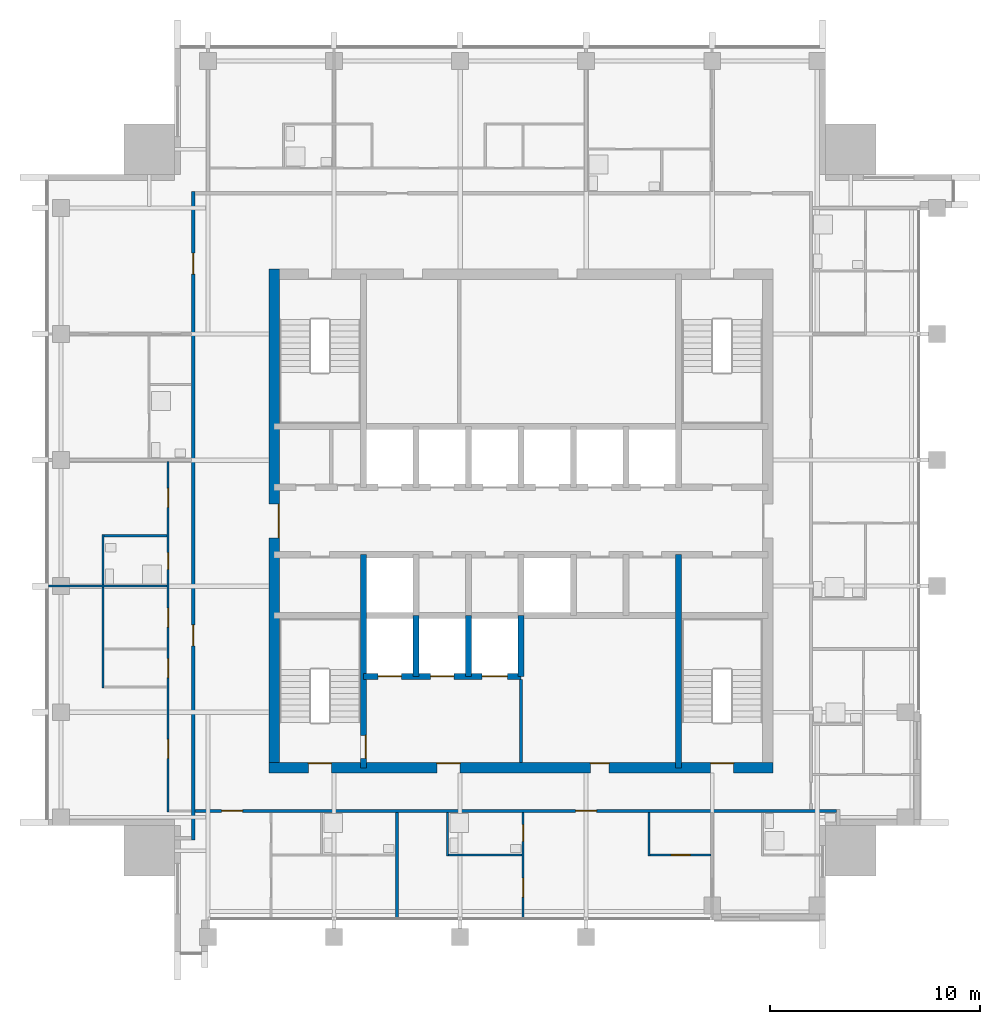
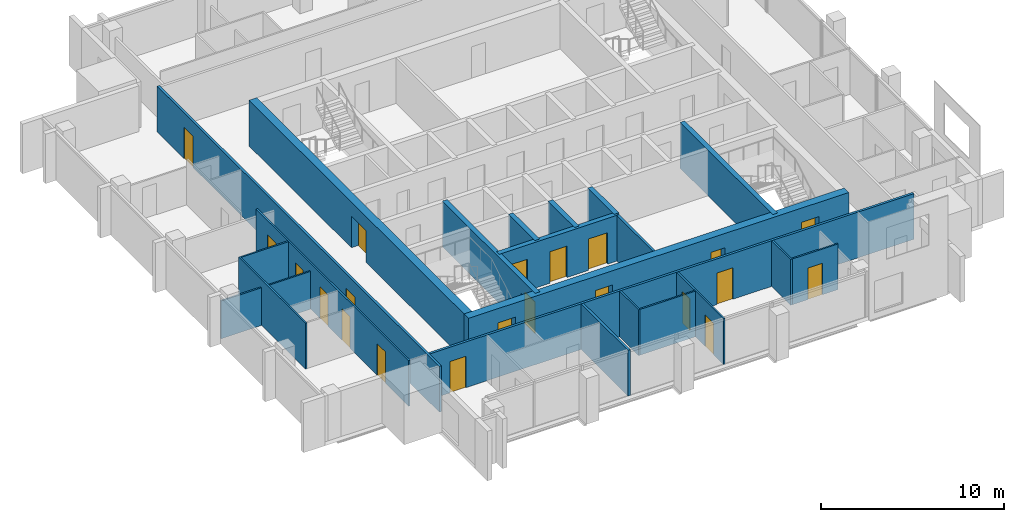
# One storey, part 7 of 13: 21 doors, 21 walls, 21 openings.
"""IFC4 building model written with IfcOpenShell, lengths in metres."""

from ifc_helpers import new_model, si_unit, direction, frame, frame_2d, origin, place, context, subcontext, project, spatial, rectangle, extrude, material, layer, layer_set, type_object, element, fill, save


model = new_model("IFC4")

# Units and contexts
model_context = context("Model", 3, precision=1e-05, world=origin(), true_north=direction((0.0, 1.0)))
body_context = subcontext(model_context, "Body", "Model", "MODEL_VIEW")
ifc_project = project(units=[si_unit("LENGTHUNIT", "METRE"), si_unit("AREAUNIT", "SQUARE_METRE"), si_unit("VOLUMEUNIT", "CUBIC_METRE"), si_unit("PLANEANGLEUNIT", "RADIAN"), si_unit("MASSUNIT", "GRAM", prefix="KILO")], contexts=[model_context])

# Site, building, storey
site_placement = place(None, origin())
site = spatial("IfcSite", under=ifc_project, at=site_placement, CompositionType="ELEMENT")
building_placement = place(site_placement, origin())
building = spatial("IfcBuilding", under=site, at=building_placement, Name="Amberfall Residences", CompositionType="ELEMENT")
storey_placement = place(building_placement, frame((0.0, 0.0, 271.89990234375)))
storey = spatial("IfcBuildingStorey", under=building, at=storey_placement, Name="L73", CompositionType="ELEMENT", Elevation=271.89990234375)

# Wall, opening, door
ifc_material_1 = material(Name="Concrete C50", Category="concrete")
ifc_layer_1 = layer(ifc_material_1, 0.300048828125)
ifc_layer_set_1 = layer_set([ifc_layer_1], Name="Core wall 300 C50")
wall_type_1 = type_object("IfcWallType", Name="Core wall 300 C50", PredefinedType="SHEAR", material=ifc_layer_set_1)
wall_1_placement = place(storey_placement, frame((67.0, 33.75, 0.0), z_axis=(0.0, 0.0, 1.0), x_axis=(0.0, 1.0, 0.0)))
wall_1 = element("IfcWall", 1, at=wall_1_placement, inside=storey, type_object=wall_type_1, Name="Core wall RW10 L73 V45S", PredefinedType="SHEAR", context=body_context, shape_type="SweptSolid", body=[
    extrude(rectangle(XDim=10.14990234375, YDim=0.300048828125, at=frame_2d((5.074951171875, 0.0))), origin(), (0.0, 0.0, 1.0), 3.050048828125),
])
opening_1_placement = place(wall_1_placement, frame((0.449951171875, 0.0, 0.0)))
opening_1 = element("IfcOpeningElement", 2, at=opening_1_placement, cuts=wall_1, Name="Opening FL1", PredefinedType="OPENING", context=body_context, shape_type="SweptSolid", body=[
    extrude(rectangle(XDim=1.10009765625, YDim=2.10009765625, at=frame_2d((0.550048828125, 1.050048828125))), frame((0.0, 0.159912109375, 0.0), z_axis=(0.0, -1.0, 0.0), x_axis=(1.0, 0.0, 0.0)), (0.0, 0.0, 1.0), 0.320068359375),
])
ifc_material_2 = material(Name="Steel fire door set", Category="steel")
door_type_1 = type_object("IfcDoorType", Name="Firefighting lobby door 1100 x 2100", OperationType="SINGLE_SWING_LEFT", PredefinedType="DOOR", material=ifc_material_2)
door_1_placement = place(opening_1_placement, origin())
door_1 = element("IfcDoor", 3, at=door_1_placement, inside=storey, type_object=door_type_1, Name="FL1 L73", OperationType="SINGLE_SWING_RIGHT", OverallHeight=2.10009765625, OverallWidth=1.10009765625, PredefinedType="DOOR", context=body_context, shape_type="SweptSolid", body=[
    extrude(rectangle(XDim=1.10009765625, YDim=2.10009765625, at=frame_2d((0.550048828125, 1.050048828125))), frame((0.0, -0.08740234375, 0.0), z_axis=(0.0, -1.0, 0.0), x_axis=(1.0, 0.0, 0.0)), (0.0, 0.0, 1.0), 0.050048828125),
])
fill(opening_1, door_1)

# Wall
wall_2_placement = place(storey_placement, frame((82.0, 33.75, 0.0), z_axis=(0.0, 0.0, 1.0), x_axis=(0.0, 1.0, 0.0)))
element("IfcWall", 4, at=wall_2_placement, inside=storey, type_object=wall_type_1, Name="Core wall RW10 L73 V195S", PredefinedType="SHEAR", context=body_context, shape_type="SweptSolid", body=[
    extrude(rectangle(XDim=10.14990234375, YDim=0.300048828125, at=frame_2d((5.074951171875, 0.0))), origin(), (0.0, 0.0, 1.0), 3.050048828125),
])

# Wall, openings, doors
wall_3_placement = place(storey_placement, frame((67.0, 38.10009765625, 0.0), z_axis=(0.0, 0.0, 1.0), x_axis=(1.0, 0.0, 0.0)))
wall_3 = element("IfcWall", 5, at=wall_3_placement, inside=storey, type_object=wall_type_1, Name="Core wall RW10 L73 FFF", PredefinedType="SHEAR", context=body_context, shape_type="SweptSolid", body=[
    extrude(rectangle(XDim=7.5, YDim=0.300048828125, at=frame_2d((3.75, 0.0))), origin(), (0.0, 0.0, 1.0), 3.050048828125),
])
opening_2_placement = place(wall_3_placement, frame((0.699951171875, 0.0, 0.0)))
opening_2 = element("IfcOpeningElement", 6, at=opening_2_placement, cuts=wall_3, Name="Opening LD2", PredefinedType="OPENING", context=body_context, shape_type="SweptSolid", body=[
    extrude(rectangle(XDim=1.10009765625, YDim=2.10009765625, at=frame_2d((0.550048828125, 1.050048828125))), frame((0.0, 0.159912109375, 0.0), z_axis=(0.0, -1.0, 0.0), x_axis=(1.0, 0.0, 0.0)), (0.0, 0.0, 1.0), 0.320068359375),
])
opening_3_placement = place(wall_3_placement, frame((3.199951171875, 0.0, 0.0)))
opening_3 = element("IfcOpeningElement", 7, at=opening_3_placement, cuts=wall_3, Name="Opening LD2", PredefinedType="OPENING", context=body_context, shape_type="SweptSolid", body=[
    extrude(rectangle(XDim=1.10009765625, YDim=2.10009765625, at=frame_2d((0.550048828125, 1.050048828125))), frame((0.0, 0.159912109375, 0.0), z_axis=(0.0, -1.0, 0.0), x_axis=(1.0, 0.0, 0.0)), (0.0, 0.0, 1.0), 0.320068359375),
])
opening_4_placement = place(wall_3_placement, frame((5.64990234375, 0.0, 0.0)))
opening_4 = element("IfcOpeningElement", 8, at=opening_4_placement, cuts=wall_3, Name="Opening LD3", PredefinedType="OPENING", context=body_context, shape_type="SweptSolid", body=[
    extrude(rectangle(XDim=1.199951171875, YDim=2.10009765625, at=frame_2d((0.60009765625, 1.050048828125))), frame((0.0, 0.159912109375, 0.0), z_axis=(0.0, -1.0, 0.0), x_axis=(1.0, 0.0, 0.0)), (0.0, 0.0, 1.0), 0.320068359375),
])
door_type_2 = type_object("IfcDoorType", Name="Firefighting lift landing door 1100 x 2100", OperationType="DOUBLE_DOOR_SLIDING", PredefinedType="DOOR", material=ifc_material_2)
door_2_placement = place(opening_2_placement, origin())
door_2 = element("IfcDoor", 9, at=door_2_placement, inside=storey, type_object=door_type_2, Name="Landing door FF1 L73", OperationType="DOUBLE_DOOR_SLIDING", OverallHeight=2.10009765625, OverallWidth=1.10009765625, PredefinedType="DOOR", context=body_context, shape_type="SweptSolid", body=[
    extrude(rectangle(XDim=1.10009765625, YDim=2.10009765625, at=frame_2d((0.550048828125, 1.050048828125))), frame((0.0, 0.02490234375, 0.0), z_axis=(0.0, -1.0, 0.0), x_axis=(1.0, 0.0, 0.0)), (0.0, 0.0, 1.0), 0.050048828125),
])
fill(opening_2, door_2)
door_3_placement = place(opening_3_placement, origin())
door_3 = element("IfcDoor", 10, at=door_3_placement, inside=storey, type_object=door_type_2, Name="Landing door FF2 L73", OperationType="DOUBLE_DOOR_SLIDING", OverallHeight=2.10009765625, OverallWidth=1.10009765625, PredefinedType="DOOR", context=body_context, shape_type="SweptSolid", body=[
    extrude(rectangle(XDim=1.10009765625, YDim=2.10009765625, at=frame_2d((0.550048828125, 1.050048828125))), frame((0.0, 0.02490234375, 0.0), z_axis=(0.0, -1.0, 0.0), x_axis=(1.0, 0.0, 0.0)), (0.0, 0.0, 1.0), 0.050048828125),
])
fill(opening_3, door_3)
door_type_3 = type_object("IfcDoorType", Name="Service lift landing door 1200 x 2100", OperationType="DOUBLE_DOOR_SLIDING", PredefinedType="DOOR", material=ifc_material_2)
door_4_placement = place(opening_4_placement, origin())
door_4 = element("IfcDoor", 11, at=door_4_placement, inside=storey, type_object=door_type_3, Name="Landing door SL1 L73", OperationType="DOUBLE_DOOR_SLIDING", OverallHeight=2.10009765625, OverallWidth=1.199951171875, PredefinedType="DOOR", context=body_context, shape_type="SweptSolid", body=[
    extrude(rectangle(XDim=1.199951171875, YDim=2.10009765625, at=frame_2d((0.60009765625, 1.050048828125))), frame((0.0, 0.02490234375, 0.0), z_axis=(0.0, -1.0, 0.0), x_axis=(1.0, 0.0, 0.0)), (0.0, 0.0, 1.0), 0.050048828125),
])
fill(opening_4, door_4)

# Walls
for number, where, z_axis, x_axis, name in (
    (12, (69.5, 38.10009765625, 0.0), (0.0, 0.0, 1.0), (0.0, 1.0, 0.0), "Core wall RW10 L73 FFD1"),
    (13, (72.0, 38.10009765625, 0.0), (0.0, 0.0, 1.0), (0.0, 1.0, 0.0), "Core wall RW10 L73 FFD2"),
    (14, (74.5, 38.10009765625, 0.0), (0.0, 0.0, 1.0), (0.0, 1.0, 0.0), "Core wall RW10 L73 FFD3"),
):
    element("IfcWall", number, at=place(storey_placement, frame(where, z_axis=z_axis, x_axis=x_axis)), inside=storey, type_object=wall_type_1, Name=name, PredefinedType="SHEAR", context=body_context, shape_type="SweptSolid", body=[
        extrude(rectangle(XDim=2.89990234375, YDim=0.300048828125, at=frame_2d((1.449951171875, 0.0))), origin(), (0.0, 0.0, 1.0), 3.050048828125),
    ])

# Wall, openings, doors
ifc_layer_2 = layer(ifc_material_1, 0.5)
ifc_layer_set_2 = layer_set([ifc_layer_2], Name="Core wall 500 C50")
wall_type_2 = type_object("IfcWallType", Name="Core wall 500 C50", PredefinedType="SHEAR", material=ifc_layer_set_2)
wall_4_placement = place(storey_placement, frame((62.5, 33.75, 0.0), z_axis=(0.0, 0.0, 1.0), x_axis=(1.0, 0.0, 0.0)))
wall_4 = element("IfcWall", 15, at=wall_4_placement, inside=storey, type_object=wall_type_2, Name="Core wall RW9 L73 OS", PredefinedType="SHEAR", context=body_context, shape_type="SweptSolid", body=[
    extrude(rectangle(XDim=24.0, YDim=0.5, at=frame_2d((12.0, 0.0))), origin(), (0.0, 0.0, 1.0), 3.050048828125),
])
opening_5_placement = place(wall_4_placement, frame((1.875, 0.0, 0.0)))
opening_5 = element("IfcOpeningElement", 16, at=opening_5_placement, cuts=wall_4, Name="Opening SD1", PredefinedType="OPENING", context=body_context, shape_type="SweptSolid", body=[
    extrude(rectangle(XDim=1.10009765625, YDim=2.10009765625, at=frame_2d((0.550048828125, 1.050048828125))), frame((0.0, 0.260009765625, 0.0), z_axis=(0.0, -1.0, 0.0), x_axis=(1.0, 0.0, 0.0)), (0.0, 0.0, 1.0), 0.52001953125),
])
opening_6_placement = place(wall_4_placement, frame((21.02490234375, 0.0, 0.0)))
opening_6 = element("IfcOpeningElement", 17, at=opening_6_placement, cuts=wall_4, Name="Opening SD1", PredefinedType="OPENING", context=body_context, shape_type="SweptSolid", body=[
    extrude(rectangle(XDim=1.10009765625, YDim=2.10009765625, at=frame_2d((0.550048828125, 1.050048828125))), frame((0.0, 0.260009765625, 0.0), z_axis=(0.0, -1.0, 0.0), x_axis=(1.0, 0.0, 0.0)), (0.0, 0.0, 1.0), 0.52001953125),
])
opening_7_placement = place(wall_4_placement, frame((8.0, 0.0, 0.0)))
opening_7 = element("IfcOpeningElement", 18, at=opening_7_placement, cuts=wall_4, Name="Opening FL1", PredefinedType="OPENING", context=body_context, shape_type="SweptSolid", body=[
    extrude(rectangle(XDim=1.10009765625, YDim=2.10009765625, at=frame_2d((0.550048828125, 1.050048828125))), frame((0.0, 0.260009765625, 0.0), z_axis=(0.0, -1.0, 0.0), x_axis=(1.0, 0.0, 0.0)), (0.0, 0.0, 1.0), 0.52001953125),
])
opening_8_placement = place(wall_4_placement, frame((15.300048828125, 0.0, 0.0)))
opening_8 = element("IfcOpeningElement", 19, at=opening_8_placement, cuts=wall_4, Name="Opening RD1", PredefinedType="OPENING", context=body_context, shape_type="SweptSolid", body=[
    extrude(rectangle(XDim=0.89990234375, YDim=2.10009765625, at=frame_2d((0.449951171875, 1.050048828125))), frame((0.0, 0.260009765625, 0.0), z_axis=(0.0, -1.0, 0.0), x_axis=(1.0, 0.0, 0.0)), (0.0, 0.0, 1.0), 0.52001953125),
])
door_5_placement = place(opening_7_placement, origin())
door_5 = element("IfcDoor", 20, at=door_5_placement, inside=storey, type_object=door_type_1, Name="FL1 L73", OperationType="SINGLE_SWING_LEFT", OverallHeight=2.10009765625, OverallWidth=1.10009765625, PredefinedType="DOOR", context=body_context, shape_type="SweptSolid", body=[
    extrude(rectangle(XDim=1.10009765625, YDim=2.10009765625, at=frame_2d((0.550048828125, 1.050048828125))), frame((0.0, 0.2373046875, 0.0), z_axis=(0.0, -1.0, 0.0), x_axis=(1.0, 0.0, 0.0)), (0.0, 0.0, 1.0), 0.050048828125),
])
fill(opening_7, door_5)
door_type_4 = type_object("IfcDoorType", Name="Service room door 900 x 2100", OperationType="SINGLE_SWING_LEFT", PredefinedType="DOOR", material=ifc_material_2)
door_6_placement = place(opening_8_placement, origin())
door_6 = element("IfcDoor", 21, at=door_6_placement, inside=storey, type_object=door_type_4, Name="RD1 L73", OperationType="SINGLE_SWING_LEFT", OverallHeight=2.10009765625, OverallWidth=0.89990234375, PredefinedType="DOOR", context=body_context, shape_type="SweptSolid", body=[
    extrude(rectangle(XDim=0.89990234375, YDim=2.10009765625, at=frame_2d((0.449951171875, 1.050048828125))), frame((0.0, 0.2373046875, 0.0), z_axis=(0.0, -1.0, 0.0), x_axis=(1.0, 0.0, 0.0)), (0.0, 0.0, 1.0), 0.050048828125),
])
fill(opening_8, door_6)
door_type_5 = type_object("IfcDoorType", Name="Stair door 1100 x 2100", OperationType="SINGLE_SWING_LEFT", PredefinedType="DOOR", material=ifc_material_2)
door_7_placement = place(opening_5_placement, origin())
door_7 = element("IfcDoor", 22, at=door_7_placement, inside=storey, type_object=door_type_5, Name="SD1 L73", OperationType="SINGLE_SWING_LEFT", OverallHeight=2.10009765625, OverallWidth=1.10009765625, PredefinedType="DOOR", context=body_context, shape_type="SweptSolid", body=[
    extrude(rectangle(XDim=1.10009765625, YDim=2.10009765625, at=frame_2d((0.550048828125, 1.050048828125))), frame((0.0, 0.2373046875, 0.0), z_axis=(0.0, -1.0, 0.0), x_axis=(1.0, 0.0, 0.0)), (0.0, 0.0, 1.0), 0.050048828125),
])
fill(opening_5, door_7)
door_8_placement = place(opening_6_placement, origin())
door_8 = element("IfcDoor", 23, at=door_8_placement, inside=storey, type_object=door_type_5, Name="SD1 L73", OperationType="SINGLE_SWING_RIGHT", OverallHeight=2.10009765625, OverallWidth=1.10009765625, PredefinedType="DOOR", context=body_context, shape_type="SweptSolid", body=[
    extrude(rectangle(XDim=1.10009765625, YDim=2.10009765625, at=frame_2d((0.550048828125, 1.050048828125))), frame((0.0, 0.2373046875, 0.0), z_axis=(0.0, -1.0, 0.0), x_axis=(1.0, 0.0, 0.0)), (0.0, 0.0, 1.0), 0.050048828125),
])
fill(opening_6, door_8)

# Wall, opening, door
wall_5_placement = place(storey_placement, frame((62.75, 33.5, 0.0), z_axis=(0.0, 0.0, 1.0), x_axis=(0.0, 1.0, 0.0)))
wall_5 = element("IfcWall", 24, at=wall_5_placement, inside=storey, type_object=wall_type_2, Name="Core wall RW9 L73 OW", PredefinedType="SHEAR", context=body_context, shape_type="SweptSolid", body=[
    extrude(rectangle(XDim=24.0, YDim=0.5, at=frame_2d((12.0, 0.0))), origin(), (0.0, 0.0, 1.0), 3.050048828125),
])
opening_9_placement = place(wall_5_placement, frame((11.199951171875, 0.0, 0.0)))
opening_9 = element("IfcOpeningElement", 25, at=opening_9_placement, cuts=wall_5, Name="Opening LB1", PredefinedType="OPENING", context=body_context, shape_type="SweptSolid", body=[
    extrude(rectangle(XDim=1.60009765625, YDim=2.10009765625, at=frame_2d((0.800048828125, 1.050048828125))), frame((0.0, 0.260009765625, 0.0), z_axis=(0.0, -1.0, 0.0), x_axis=(1.0, 0.0, 0.0)), (0.0, 0.0, 1.0), 0.52001953125),
])
door_type_6 = type_object("IfcDoorType", Name="Lift lobby double door 1600 x 2100", OperationType="DOUBLE_DOOR_SINGLE_SWING", PredefinedType="DOOR", material=ifc_material_2)
door_9_placement = place(opening_9_placement, origin())
door_9 = element("IfcDoor", 26, at=door_9_placement, inside=storey, type_object=door_type_6, Name="LB1 L73", OperationType="DOUBLE_DOOR_SINGLE_SWING", OverallHeight=2.10009765625, OverallWidth=1.60009765625, PredefinedType="DOOR", context=body_context, shape_type="SweptSolid", body=[
    extrude(rectangle(XDim=1.60009765625, YDim=2.10009765625, at=frame_2d((0.800048828125, 1.050048828125))), frame((0.0, -0.1875, 0.0), z_axis=(0.0, -1.0, 0.0), x_axis=(1.0, 0.0, 0.0)), (0.0, 0.0, 1.0), 0.050048828125),
])
fill(opening_9, door_9)

# Wall
ifc_material_3 = material(Name="Gypsum board on metal stud")
ifc_layer_3 = layer(ifc_material_3, 0.10009765625)
ifc_layer_set_3 = layer_set([ifc_layer_3], Name="Flat partition 100")
wall_type_3 = type_object("IfcWallType", Name="Flat partition 100", PredefinedType="PARTITIONING", material=ifc_layer_set_3)
wall_6_placement = place(storey_placement, frame((54.60009765625, 37.550048828125, 0.0), z_axis=(0.0, 0.0, 1.0), x_axis=(0.0, 1.0, 0.0)))
element("IfcWall", 27, at=wall_6_placement, inside=storey, type_object=wall_type_3, Name="Partition 001", PredefinedType="PARTITIONING", context=body_context, shape_type="SweptSolid", body=[
    extrude(rectangle(XDim=7.300048828125, YDim=0.10009765625, at=frame_2d((3.64990234375, 0.0))), origin(), (0.0, 0.0, 1.0), 3.050048828125),
])

# Wall, openings, doors
wall_7_placement = place(storey_placement, frame((57.699951171875, 31.64990234375, 0.0), z_axis=(0.0, 0.0, 1.0), x_axis=(0.0, 1.0, 0.0)))
wall_7 = element("IfcWall", 28, at=wall_7_placement, inside=storey, type_object=wall_type_3, Name="Partition 003", PredefinedType="PARTITIONING", context=body_context, shape_type="SweptSolid", body=[
    extrude(rectangle(XDim=16.675048828125, YDim=0.10009765625, at=frame_2d((8.33740234375, 0.0))), origin(), (0.0, 0.0, 1.0), 3.050048828125),
])
opening_10_placement = place(wall_7_placement, frame((2.550048828125, 0.0, 0.0)))
opening_10 = element("IfcOpeningElement", 29, at=opening_10_placement, cuts=wall_7, Name="Opening D41", PredefinedType="OPENING", context=body_context, shape_type="SweptSolid", body=[
    extrude(rectangle(XDim=0.89990234375, YDim=2.10009765625, at=frame_2d((0.449951171875, 1.050048828125))), frame((0.0, 0.06005859375, 0.0), z_axis=(0.0, -1.0, 0.0), x_axis=(1.0, 0.0, 0.0)), (0.0, 0.0, 1.0), 0.1201171875),
])
opening_11_placement = place(wall_7_placement, frame((8.800048828125, 0.0, 0.0)))
opening_11 = element("IfcOpeningElement", 30, at=opening_11_placement, cuts=wall_7, Name="Opening D41", PredefinedType="OPENING", context=body_context, shape_type="SweptSolid", body=[
    extrude(rectangle(XDim=0.89990234375, YDim=2.10009765625, at=frame_2d((0.449951171875, 1.050048828125))), frame((0.0, 0.06005859375, 0.0), z_axis=(0.0, -1.0, 0.0), x_axis=(1.0, 0.0, 0.0)), (0.0, 0.0, 1.0), 0.1201171875),
])
opening_12_placement = place(wall_7_placement, frame((6.39990234375, 0.0, 0.0)))
opening_12 = element("IfcOpeningElement", 31, at=opening_12_placement, cuts=wall_7, Name="Opening D41", PredefinedType="OPENING", context=body_context, shape_type="SweptSolid", body=[
    extrude(rectangle(XDim=0.89990234375, YDim=2.10009765625, at=frame_2d((0.449951171875, 1.050048828125))), frame((0.0, 0.06005859375, 0.0), z_axis=(0.0, -1.0, 0.0), x_axis=(1.0, 0.0, 0.0)), (0.0, 0.0, 1.0), 0.1201171875),
])
opening_13_placement = place(wall_7_placement, frame((14.5, 0.0, 0.0)))
opening_13 = element("IfcOpeningElement", 32, at=opening_13_placement, cuts=wall_7, Name="Opening D41", PredefinedType="OPENING", context=body_context, shape_type="SweptSolid", body=[
    extrude(rectangle(XDim=0.89990234375, YDim=2.10009765625, at=frame_2d((0.449951171875, 1.050048828125))), frame((0.0, 0.06005859375, 0.0), z_axis=(0.0, -1.0, 0.0), x_axis=(1.0, 0.0, 0.0)), (0.0, 0.0, 1.0), 0.1201171875),
])
opening_14_placement = place(wall_7_placement, frame((11.550048828125, 0.0, 0.0)))
opening_14 = element("IfcOpeningElement", 33, at=opening_14_placement, cuts=wall_7, Name="Opening D42", PredefinedType="OPENING", context=body_context, shape_type="SweptSolid", body=[
    extrude(rectangle(XDim=0.800048828125, YDim=2.10009765625, at=frame_2d((0.39990234375, 1.050048828125))), frame((0.0, 0.06005859375, 0.0), z_axis=(0.0, -1.0, 0.0), x_axis=(1.0, 0.0, 0.0)), (0.0, 0.0, 1.0), 0.1201171875),
])
ifc_material_4 = material(Name="Timber", Category="wood")
door_type_7 = type_object("IfcDoorType", Name="Bathroom door 800 x 2100", OperationType="SINGLE_SWING_LEFT", PredefinedType="DOOR", material=ifc_material_4)
door_10_placement = place(opening_14_placement, origin())
door_10 = element("IfcDoor", 34, at=door_10_placement, inside=storey, type_object=door_type_7, Name="Door 7307 bath1", OperationType="SINGLE_SWING_LEFT", OverallHeight=2.10009765625, OverallWidth=0.800048828125, PredefinedType="DOOR", context=body_context, shape_type="SweptSolid", body=[
    extrude(rectangle(XDim=0.800048828125, YDim=2.10009765625, at=frame_2d((0.39990234375, 1.050048828125))), frame((0.0, 0.02490234375, 0.0), z_axis=(0.0, -1.0, 0.0), x_axis=(1.0, 0.0, 0.0)), (0.0, 0.0, 1.0), 0.050048828125),
])
fill(opening_14, door_10)
door_type_8 = type_object("IfcDoorType", Name="Internal door 900 x 2100", OperationType="SINGLE_SWING_LEFT", PredefinedType="DOOR", material=ifc_material_4)
door_11_placement = place(opening_10_placement, origin())
door_11 = element("IfcDoor", 35, at=door_11_placement, inside=storey, type_object=door_type_8, Name="Door 7307 living", OperationType="SINGLE_SWING_LEFT", OverallHeight=2.10009765625, OverallWidth=0.89990234375, PredefinedType="DOOR", context=body_context, shape_type="SweptSolid", body=[
    extrude(rectangle(XDim=0.89990234375, YDim=2.10009765625, at=frame_2d((0.449951171875, 1.050048828125))), frame((0.0, 0.02490234375, 0.0), z_axis=(0.0, -1.0, 0.0), x_axis=(1.0, 0.0, 0.0)), (0.0, 0.0, 1.0), 0.050048828125),
])
fill(opening_10, door_11)
door_12_placement = place(opening_11_placement, origin())
door_12 = element("IfcDoor", 36, at=door_12_placement, inside=storey, type_object=door_type_8, Name="Door 7307 kitchen", OperationType="SINGLE_SWING_LEFT", OverallHeight=2.10009765625, OverallWidth=0.89990234375, PredefinedType="DOOR", context=body_context, shape_type="SweptSolid", body=[
    extrude(rectangle(XDim=0.89990234375, YDim=2.10009765625, at=frame_2d((0.449951171875, 1.050048828125))), frame((0.0, 0.02490234375, 0.0), z_axis=(0.0, -1.0, 0.0), x_axis=(1.0, 0.0, 0.0)), (0.0, 0.0, 1.0), 0.050048828125),
])
fill(opening_11, door_12)
door_13_placement = place(opening_12_placement, origin())
door_13 = element("IfcDoor", 37, at=door_13_placement, inside=storey, type_object=door_type_8, Name="Door 7307 utility", OperationType="SINGLE_SWING_LEFT", OverallHeight=2.10009765625, OverallWidth=0.89990234375, PredefinedType="DOOR", context=body_context, shape_type="SweptSolid", body=[
    extrude(rectangle(XDim=0.89990234375, YDim=2.10009765625, at=frame_2d((0.449951171875, 1.050048828125))), frame((0.0, 0.02490234375, 0.0), z_axis=(0.0, -1.0, 0.0), x_axis=(1.0, 0.0, 0.0)), (0.0, 0.0, 1.0), 0.050048828125),
])
fill(opening_12, door_13)
door_14_placement = place(opening_13_placement, origin())
door_14 = element("IfcDoor", 38, at=door_14_placement, inside=storey, type_object=door_type_8, Name="Door 7307 bedroom1", OperationType="SINGLE_SWING_LEFT", OverallHeight=2.10009765625, OverallWidth=0.89990234375, PredefinedType="DOOR", context=body_context, shape_type="SweptSolid", body=[
    extrude(rectangle(XDim=0.89990234375, YDim=2.10009765625, at=frame_2d((0.449951171875, 1.050048828125))), frame((0.0, 0.02490234375, 0.0), z_axis=(0.0, -1.0, 0.0), x_axis=(1.0, 0.0, 0.0)), (0.0, 0.0, 1.0), 0.050048828125),
])
fill(opening_13, door_14)

# Wall
wall_8_placement = place(storey_placement, frame((71.0, 29.550048828125, 0.0), z_axis=(0.0, 0.0, 1.0), x_axis=(0.0, 1.0, 0.0)))
element("IfcWall", 39, at=wall_8_placement, inside=storey, type_object=wall_type_3, Name="Partition 009", PredefinedType="PARTITIONING", context=body_context, shape_type="SweptSolid", body=[
    extrude(rectangle(XDim=2.074951171875, YDim=0.10009765625, at=frame_2d((1.03759765625, 0.0))), origin(), (0.0, 0.0, 1.0), 3.050048828125),
])

# Wall, openings, doors
wall_9_placement = place(storey_placement, frame((74.60009765625, 26.5, 0.0), z_axis=(0.0, 0.0, 1.0), x_axis=(0.0, 1.0, 0.0)))
wall_9 = element("IfcWall", 40, at=wall_9_placement, inside=storey, type_object=wall_type_3, Name="Partition 011", PredefinedType="PARTITIONING", context=body_context, shape_type="SweptSolid", body=[
    extrude(rectangle(XDim=5.125, YDim=0.10009765625, at=frame_2d((2.5625, 0.0))), origin(), (0.0, 0.0, 1.0), 3.050048828125),
])
opening_15_placement = place(wall_9_placement, frame((1.10009765625, 0.0, 0.0)))
opening_15 = element("IfcOpeningElement", 41, at=opening_15_placement, cuts=wall_9, Name="Opening D41", PredefinedType="OPENING", context=body_context, shape_type="SweptSolid", body=[
    extrude(rectangle(XDim=0.89990234375, YDim=2.10009765625, at=frame_2d((0.449951171875, 1.050048828125))), frame((0.0, 0.06005859375, 0.0), z_axis=(0.0, -1.0, 0.0), x_axis=(1.0, 0.0, 0.0)), (0.0, 0.0, 1.0), 0.1201171875),
])
opening_16_placement = place(wall_9_placement, frame((3.75, 0.0, 0.0)))
opening_16 = element("IfcOpeningElement", 42, at=opening_16_placement, cuts=wall_9, Name="Opening D42", PredefinedType="OPENING", context=body_context, shape_type="SweptSolid", body=[
    extrude(rectangle(XDim=0.800048828125, YDim=2.10009765625, at=frame_2d((0.39990234375, 1.050048828125))), frame((0.0, 0.06005859375, 0.0), z_axis=(0.0, -1.0, 0.0), x_axis=(1.0, 0.0, 0.0)), (0.0, 0.0, 1.0), 0.1201171875),
])
door_15_placement = place(opening_16_placement, origin())
door_15 = element("IfcDoor", 43, at=door_15_placement, inside=storey, type_object=door_type_7, Name="Door 7302 bath1", OperationType="SINGLE_SWING_LEFT", OverallHeight=2.10009765625, OverallWidth=0.800048828125, PredefinedType="DOOR", context=body_context, shape_type="SweptSolid", body=[
    extrude(rectangle(XDim=0.800048828125, YDim=2.10009765625, at=frame_2d((0.39990234375, 1.050048828125))), frame((0.0, 0.02490234375, 0.0), z_axis=(0.0, -1.0, 0.0), x_axis=(1.0, 0.0, 0.0)), (0.0, 0.0, 1.0), 0.050048828125),
])
fill(opening_16, door_15)
door_16_placement = place(opening_15_placement, origin())
door_16 = element("IfcDoor", 44, at=door_16_placement, inside=storey, type_object=door_type_8, Name="Door 7302 bedroom1", OperationType="SINGLE_SWING_LEFT", OverallHeight=2.10009765625, OverallWidth=0.89990234375, PredefinedType="DOOR", context=body_context, shape_type="SweptSolid", body=[
    extrude(rectangle(XDim=0.89990234375, YDim=2.10009765625, at=frame_2d((0.449951171875, 1.050048828125))), frame((0.0, 0.02490234375, 0.0), z_axis=(0.0, -1.0, 0.0), x_axis=(1.0, 0.0, 0.0)), (0.0, 0.0, 1.0), 0.050048828125),
])
fill(opening_15, door_16)

# Walls
wall_10_placement = place(storey_placement, frame((80.60009765625, 29.550048828125, 0.0), z_axis=(0.0, 0.0, 1.0), x_axis=(0.0, 1.0, 0.0)))
element("IfcWall", 45, at=wall_10_placement, inside=storey, type_object=wall_type_3, Name="Partition 013", PredefinedType="PARTITIONING", context=body_context, shape_type="SweptSolid", body=[
    extrude(rectangle(XDim=2.074951171875, YDim=0.10009765625, at=frame_2d((1.03759765625, 0.0))), origin(), (0.0, 0.0, 1.0), 3.050048828125),
])
wall_11_placement = place(storey_placement, frame((54.64990234375, 44.800048828125, 0.0), z_axis=(0.0, 0.0, 1.0), x_axis=(1.0, 0.0, 0.0)))
element("IfcWall", 46, at=wall_11_placement, inside=storey, type_object=wall_type_3, Name="Partition 030", PredefinedType="PARTITIONING", context=body_context, shape_type="SweptSolid", body=[
    extrude(rectangle(XDim=3.0, YDim=0.10009765625, at=frame_2d((1.5, 0.0))), origin(), (0.0, 0.0, 1.0), 3.050048828125),
])
wall_12_placement = place(storey_placement, frame((52.0, 42.39990234375, 0.0), z_axis=(0.0, 0.0, 1.0), x_axis=(1.0, 0.0, 0.0)))
element("IfcWall", 47, at=wall_12_placement, inside=storey, type_object=wall_type_3, Name="Partition 031", PredefinedType="PARTITIONING", context=body_context, shape_type="SweptSolid", body=[
    extrude(rectangle(XDim=5.64990234375, YDim=0.10009765625, at=frame_2d((2.824951171875, 0.0))), origin(), (0.0, 0.0, 1.0), 2.51611328125),
])
wall_13_placement = place(storey_placement, frame((71.050048828125, 29.60009765625, 0.0), z_axis=(0.0, 0.0, 1.0), x_axis=(1.0, 0.0, 0.0)))
element("IfcWall", 48, at=wall_13_placement, inside=storey, type_object=wall_type_3, Name="Partition 039", PredefinedType="PARTITIONING", context=body_context, shape_type="SweptSolid", body=[
    extrude(rectangle(XDim=3.5, YDim=0.10009765625, at=frame_2d((1.75, 0.0))), origin(), (0.0, 0.0, 1.0), 3.050048828125),
])

# Wall, opening, door
wall_14_placement = place(storey_placement, frame((80.64990234375, 29.60009765625, 0.0), z_axis=(0.0, 0.0, 1.0), x_axis=(1.0, 0.0, 0.0)))
wall_14 = element("IfcWall", 49, at=wall_14_placement, inside=storey, type_object=wall_type_3, Name="Partition 040", PredefinedType="PARTITIONING", context=body_context, shape_type="SweptSolid", body=[
    extrude(rectangle(XDim=2.900146484375, YDim=0.10009765625, at=frame_2d((1.4501953125, 0.0))), origin(), (0.0, 0.0, 1.0), 3.050048828125),
])
opening_17_placement = place(wall_14_placement, frame((1.0, 0.0, 0.0)))
opening_17 = element("IfcOpeningElement", 50, at=opening_17_placement, cuts=wall_14, Name="Opening D41", PredefinedType="OPENING", context=body_context, shape_type="SweptSolid", body=[
    extrude(rectangle(XDim=0.89990234375, YDim=2.10009765625, at=frame_2d((0.449951171875, 1.050048828125))), frame((0.0, 0.06005859375, 0.0), z_axis=(0.0, -1.0, 0.0), x_axis=(1.0, 0.0, 0.0)), (0.0, 0.0, 1.0), 0.1201171875),
])
door_17_placement = place(opening_17_placement, origin())
door_17 = element("IfcDoor", 51, at=door_17_placement, inside=storey, type_object=door_type_8, Name="Door 7302 kitchen", OperationType="SINGLE_SWING_LEFT", OverallHeight=2.10009765625, OverallWidth=0.89990234375, PredefinedType="DOOR", context=body_context, shape_type="SweptSolid", body=[
    extrude(rectangle(XDim=0.89990234375, YDim=2.10009765625, at=frame_2d((0.449951171875, 1.050048828125))), frame((0.0, 0.02490234375, 0.0), z_axis=(0.0, -1.0, 0.0), x_axis=(1.0, 0.0, 0.0)), (0.0, 0.0, 1.0), 0.050048828125),
])
fill(opening_17, door_17)

# Wall, openings, doors
ifc_material_5 = material(Name="Blockwork, plastered", Category="masonry")
ifc_layer_4 = layer(ifc_material_5, 0.14990234375)
ifc_layer_set_4 = layer_set([ifc_layer_4], Name="Flat separating wall 150")
wall_type_4 = type_object("IfcWallType", Name="Flat separating wall 150", PredefinedType="PARTITIONING", material=ifc_layer_set_4)
wall_15_placement = place(storey_placement, frame((58.89990234375, 30.324951171875, 0.0), z_axis=(0.0, 0.0, 1.0), x_axis=(0.0, 1.0, 0.0)))
wall_15 = element("IfcWall", 52, at=wall_15_placement, inside=storey, type_object=wall_type_4, Name="Separating wall 042", PredefinedType="PARTITIONING", context=body_context, shape_type="SweptSolid", body=[
    extrude(rectangle(XDim=30.85009765625, YDim=0.14990234375, at=frame_2d((15.425048828125, 0.0))), origin(), (0.0, 0.0, 1.0), 3.050048828125),
])
opening_18_placement = place(wall_15_placement, frame((9.22509765625, 0.0, 0.0)))
opening_18 = element("IfcOpeningElement", 53, at=opening_18_placement, cuts=wall_15, Name="Opening D40", PredefinedType="OPENING", context=body_context, shape_type="SweptSolid", body=[
    extrude(rectangle(XDim=1.0, YDim=2.10009765625, at=frame_2d((0.5, 1.050048828125))), frame((0.0, 0.0849609375, 0.0), z_axis=(0.0, -1.0, 0.0), x_axis=(1.0, 0.0, 0.0)), (0.0, 0.0, 1.0), 0.169921875),
])
opening_19_placement = place(wall_15_placement, frame((26.925048828125, 0.0, 0.0)))
opening_19 = element("IfcOpeningElement", 54, at=opening_19_placement, cuts=wall_15, Name="Opening D40", PredefinedType="OPENING", context=body_context, shape_type="SweptSolid", body=[
    extrude(rectangle(XDim=1.0, YDim=2.10009765625, at=frame_2d((0.5, 1.050048828125))), frame((0.0, 0.0849609375, 0.0), z_axis=(0.0, -1.0, 0.0), x_axis=(1.0, 0.0, 0.0)), (0.0, 0.0, 1.0), 0.169921875),
])
ifc_material_6 = material(Name="Timber, fire-rated", Category="wood")
door_type_9 = type_object("IfcDoorType", Name="Flat entrance door FD60 1000 x 2100", OperationType="SINGLE_SWING_LEFT", PredefinedType="DOOR", material=ifc_material_6)
door_18_placement = place(opening_18_placement, origin())
door_18 = element("IfcDoor", 55, at=door_18_placement, inside=storey, type_object=door_type_9, Name="Door 7307 entrance", OperationType="SINGLE_SWING_LEFT", OverallHeight=2.10009765625, OverallWidth=1.0, PredefinedType="DOOR", context=body_context, shape_type="SweptSolid", body=[
    extrude(rectangle(XDim=1.0, YDim=2.10009765625, at=frame_2d((0.5, 1.050048828125))), frame((0.0, 0.02490234375, 0.0), z_axis=(0.0, -1.0, 0.0), x_axis=(1.0, 0.0, 0.0)), (0.0, 0.0, 1.0), 0.050048828125),
])
fill(opening_18, door_18)
door_19_placement = place(opening_19_placement, origin())
door_19 = element("IfcDoor", 56, at=door_19_placement, inside=storey, type_object=door_type_9, Name="Door 7308 entrance", OperationType="SINGLE_SWING_LEFT", OverallHeight=2.10009765625, OverallWidth=1.0, PredefinedType="DOOR", context=body_context, shape_type="SweptSolid", body=[
    extrude(rectangle(XDim=1.0, YDim=2.10009765625, at=frame_2d((0.5, 1.050048828125))), frame((0.0, 0.02490234375, 0.0), z_axis=(0.0, -1.0, 0.0), x_axis=(1.0, 0.0, 0.0)), (0.0, 0.0, 1.0), 0.050048828125),
])
fill(opening_19, door_19)

# Wall
wall_16_placement = place(storey_placement, frame((68.60009765625, 26.5, 0.0), z_axis=(0.0, 0.0, 1.0), x_axis=(0.0, 1.0, 0.0)))
element("IfcWall", 57, at=wall_16_placement, inside=storey, type_object=wall_type_4, Name="Separating wall 044", PredefinedType="PARTITIONING", context=body_context, shape_type="SweptSolid", body=[
    extrude(rectangle(XDim=5.125, YDim=0.14990234375, at=frame_2d((2.5625, 0.0))), origin(), (0.0, 0.0, 1.0), 3.050048828125),
])

# Wall, openings, doors
wall_17_placement = place(storey_placement, frame((89.52490234375, 31.699951171875, 0.0), z_axis=(0.0, 0.0, 1.0), x_axis=(-1.0, 0.0, 0.0)))
wall_17 = element("IfcWall", 58, at=wall_17_placement, inside=storey, type_object=wall_type_4, Name="Separating wall 052", PredefinedType="PARTITIONING", context=body_context, shape_type="SweptSolid", body=[
    extrude(rectangle(XDim=30.5498046875, YDim=0.14990234375, at=frame_2d((15.27490234375, 0.0))), origin(), (0.0, 0.0, 1.0), 3.050048828125),
])
opening_20_placement = place(wall_17_placement, frame((28.27490234375, 0.0, 0.0)))
opening_20 = element("IfcOpeningElement", 59, at=opening_20_placement, cuts=wall_17, Name="Opening D40", PredefinedType="OPENING", context=body_context, shape_type="SweptSolid", body=[
    extrude(rectangle(XDim=1.0, YDim=2.10009765625, at=frame_2d((0.5, 1.050048828125))), frame((0.0, 0.0849609375, 0.0), z_axis=(0.0, -1.0, 0.0), x_axis=(1.0, 0.0, 0.0)), (0.0, 0.0, 1.0), 0.169921875),
])
opening_21_placement = place(wall_17_placement, frame((11.425048828125, 0.0, 0.0)))
opening_21 = element("IfcOpeningElement", 60, at=opening_21_placement, cuts=wall_17, Name="Opening D40", PredefinedType="OPENING", context=body_context, shape_type="SweptSolid", body=[
    extrude(rectangle(XDim=1.0, YDim=2.10009765625, at=frame_2d((0.5, 1.050048828125))), frame((0.0, 0.0849609375, 0.0), z_axis=(0.0, -1.0, 0.0), x_axis=(1.0, 0.0, 0.0)), (0.0, 0.0, 1.0), 0.169921875),
])
door_20_placement = place(opening_20_placement, origin())
door_20 = element("IfcDoor", 61, at=door_20_placement, inside=storey, type_object=door_type_9, Name="Door 7301 entrance", OperationType="SINGLE_SWING_LEFT", OverallHeight=2.10009765625, OverallWidth=1.0, PredefinedType="DOOR", context=body_context, shape_type="SweptSolid", body=[
    extrude(rectangle(XDim=1.0, YDim=2.10009765625, at=frame_2d((0.5, 1.050048828125))), frame((0.0, 0.02490234375, 0.0), z_axis=(0.0, -1.0, 0.0), x_axis=(1.0, 0.0, 0.0)), (0.0, 0.0, 1.0), 0.050048828125),
])
fill(opening_20, door_20)
door_21_placement = place(opening_21_placement, origin())
door_21 = element("IfcDoor", 62, at=door_21_placement, inside=storey, type_object=door_type_9, Name="Door 7302 entrance", OperationType="SINGLE_SWING_LEFT", OverallHeight=2.10009765625, OverallWidth=1.0, PredefinedType="DOOR", context=body_context, shape_type="SweptSolid", body=[
    extrude(rectangle(XDim=1.0, YDim=2.10009765625, at=frame_2d((0.5, 1.050048828125))), frame((0.0, 0.02490234375, 0.0), z_axis=(0.0, -1.0, 0.0), x_axis=(1.0, 0.0, 0.0)), (0.0, 0.0, 1.0), 0.050048828125),
])
fill(opening_21, door_21)

# Wall
ifc_material_7 = material(Name="Concrete blockwork", Category="masonry")
ifc_layer_5 = layer(ifc_material_7, 0.14990234375)
ifc_layer_set_5 = layer_set([ifc_layer_5], Name="Riser wall 150")
wall_type_5 = type_object("IfcWallType", Name="Riser wall 150", PredefinedType="PLUMBINGWALL", material=ifc_layer_set_5)
wall_18_placement = place(storey_placement, frame((74.5, 34.0, 0.0), z_axis=(0.0, 0.0, 1.0), x_axis=(0.0, 1.0, 0.0)))
element("IfcWall", 63, at=wall_18_placement, inside=storey, type_object=wall_type_5, Name="L73 core wall PX", PredefinedType="PLUMBINGWALL", context=body_context, shape_type="SweptSolid", body=[
    extrude(rectangle(XDim=3.949951171875, YDim=0.14990234375, at=frame_2d((1.97509765625, 0.0))), origin(), (0.0, 0.0, 1.0), 3.050048828125),
])

save(model, "model.ifc")
